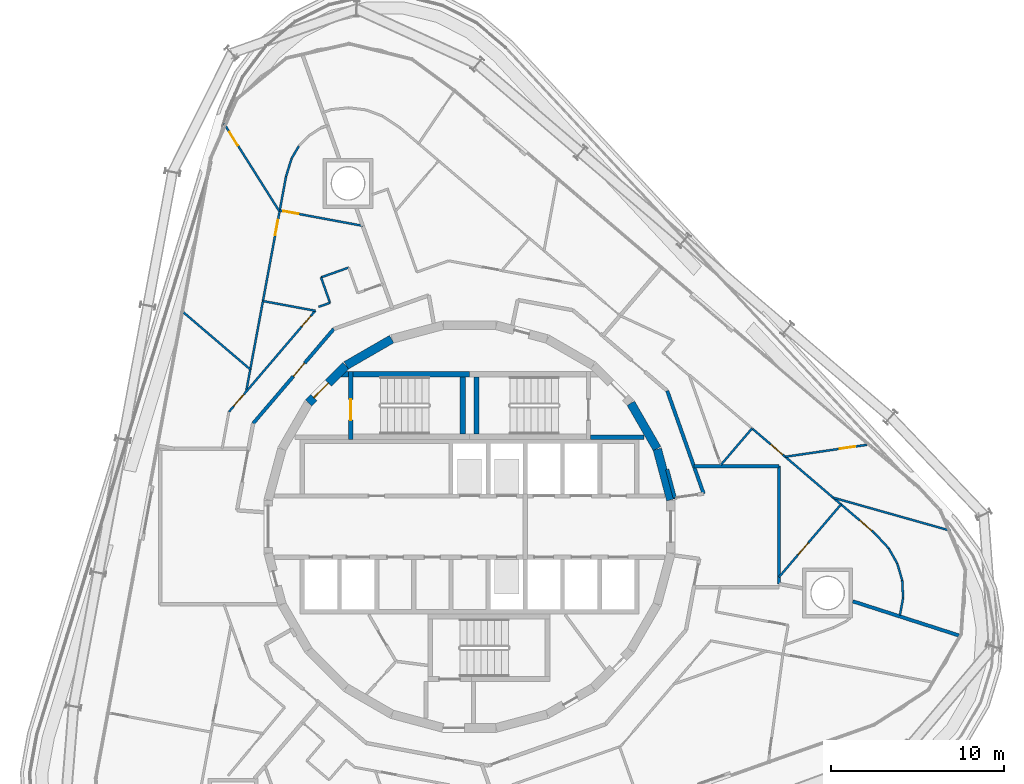
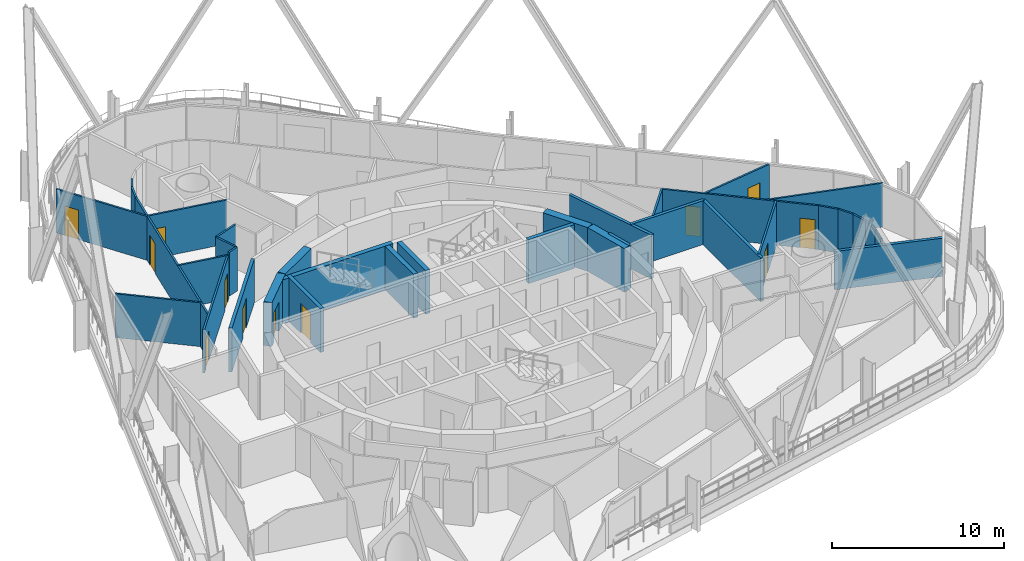
# One storey, part 14 of 25: 37 walls, 12 doors, 12 openings.
"""IFC4 building model written with IfcOpenShell, lengths in metres."""

from ifc_helpers import new_model, si_unit, direction, frame, frame_2d, origin, place, context, subcontext, project, spatial, polyline, rectangle, outline, extrude, material, layer, layer_set, type_object, element, fill, save


model = new_model("IFC4")

# Units and contexts
model_context = context("Model", 3, precision=1e-05, world=origin(), true_north=direction((0.0, 1.0)))
body_context = subcontext(model_context, "Body", "Model", "MODEL_VIEW")
ifc_project = project(units=[si_unit("LENGTHUNIT", "METRE"), si_unit("AREAUNIT", "SQUARE_METRE"), si_unit("VOLUMEUNIT", "CUBIC_METRE"), si_unit("PLANEANGLEUNIT", "RADIAN"), si_unit("MASSUNIT", "GRAM", prefix="KILO")], contexts=[model_context])

# Site, building, storey
site_placement = place(None, origin())
site = spatial("IfcSite", under=ifc_project, at=site_placement, CompositionType="ELEMENT")
building_placement = place(site_placement, origin())
building = spatial("IfcBuilding", under=site, at=building_placement, Name="Spindle Arch Residences", CompositionType="ELEMENT")
storey_placement = place(building_placement, frame((0.0, 0.0, 151.699951171875)))
storey = spatial("IfcBuildingStorey", under=building, at=storey_placement, Name="L37", CompositionType="ELEMENT", Elevation=151.699951171875)

# Walls
ifc_material_1 = material(Name="Concrete C50/60", Category="concrete")
ifc_layer_1 = layer(ifc_material_1, 0.5)
ifc_layer_set_1 = layer_set([ifc_layer_1], Name="Core outline wall 500")
wall_type_1 = type_object("IfcWallType", Name="Core outline wall 500", PredefinedType="SHEAR", material=ifc_layer_set_1)
for number, where, z_axis, x_axis, name in (
    (1, (11.642822265625, 1.5498046875, 0.0), (0.0, 0.0, 1.0), (-0.258734743916, 0.965948410781, 0.0), "Core outline wall 7"),
    (2, (10.84521484375, 4.510498046875, 0.0), (0.0, 0.0, 1.0), (-0.500087131594, 0.865975092491, 0.0), "Core outline wall 8"),
    (3, (-4.510498046875, 10.84521484375, 0.0), (0.0, 0.0, 1.0), (-0.865975092491, -0.500087131594, 0.0), "Core outline wall 14"),
):
    element("IfcWall", number, at=place(storey_placement, frame(where, z_axis=z_axis, x_axis=x_axis)), inside=storey, type_object=wall_type_1, Name=name, PredefinedType="SHEAR", context=body_context, shape_type="SweptSolid", body=[
        extrude(rectangle(XDim=3.03271484375, YDim=0.5, at=frame_2d((1.516357421875, 0.0))), origin(), (0.0, 0.0, 1.0), 3.1201171875),
    ])

# Wall, opening, door
wall_1_placement = place(storey_placement, frame((-7.163818359375, 9.30810546875, 0.0), z_axis=(0.0, 0.0, 1.0), x_axis=(-0.707106781187, -0.707106781187, 0.0)))
wall_1 = element("IfcWall", 4, at=wall_1_placement, inside=storey, type_object=wall_type_1, Name="Core outline wall 15", PredefinedType="SHEAR", context=body_context, shape_type="SweptSolid", body=[
    extrude(rectangle(XDim=3.032470703125, YDim=0.5, at=frame_2d((1.51611328125, 0.0))), origin(), (0.0, 0.0, 1.0), 3.1201171875),
])
opening_1_placement = place(wall_1_placement, frame((1.416259765625, 0.0, 0.0)))
opening_1 = element("IfcOpeningElement", 5, at=opening_1_placement, cuts=wall_1, Name="Opening R4A0-AD02", PredefinedType="OPENING", context=body_context, shape_type="SweptSolid", body=[
    extrude(rectangle(XDim=1.199951171875, YDim=2.10009765625, at=frame_2d((0.60009765625, 1.050048828125))), frame((0.0, 0.260009765625, 0.0), z_axis=(0.0, -1.0, 0.0), x_axis=(1.0, 0.0, 0.0)), (0.0, 0.0, 1.0), 0.52001953125),
])
ifc_material_2 = material(Name="Steel, fire-resisting door", Category="steel")
door_type_1 = type_object("IfcDoorType", Name="Stair airlock door 1200x2100", OperationType="SINGLE_SWING_LEFT", PredefinedType="DOOR", material=ifc_material_2)
door_1_placement = place(opening_1_placement, origin())
door_1 = element("IfcDoor", 6, at=door_1_placement, inside=storey, type_object=door_type_1, Name="Stair airlock door R4A0-AD02", OperationType="SINGLE_SWING_RIGHT", OverallHeight=2.10009765625, OverallWidth=1.199951171875, PredefinedType="DOOR", context=body_context, shape_type="SweptSolid", body=[
    extrude(rectangle(XDim=1.199951171875, YDim=2.10009765625, at=frame_2d((0.60009765625, 1.050048828125))), frame((0.0, 0.02490234375, 0.0), z_axis=(0.0, -1.0, 0.0), x_axis=(1.0, 0.0, 0.0)), (0.0, 0.0, 1.0), 0.050048828125),
])
fill(opening_1, door_1)

ifc_material_3 = material(Name="Calcium silicate block, plastered")
ifc_layer_2 = layer(ifc_material_3, 0.199951171875)
ifc_layer_set_2 = layer_set([ifc_layer_2], Name="Corridor wall 200")
wall_type_2 = type_object("IfcWallType", Name="Corridor wall 200", PredefinedType="STANDARD", material=ifc_layer_set_2)
wall_2_placement = place(storey_placement, frame((-7.857666015625, 11.432861328125, 0.0), z_axis=(0.0, 0.0, 1.0), x_axis=(-0.649440801937, -0.760412154545, 0.0)))
wall_2 = element("IfcWall", 7, at=wall_2_placement, inside=storey, type_object=wall_type_2, Name="Corridor wall R4A0-W011", PredefinedType="STANDARD", context=body_context, shape_type="SweptSolid", body=[
    extrude(rectangle(XDim=7.180908203125, YDim=0.199951171875, at=frame_2d((3.59033203125, 0.0))), origin(), (0.0, 0.0, 1.0), 3.1201171875),
])
opening_2_placement = place(wall_2_placement, frame((2.60009765625, 0.0, 0.0)))
opening_2 = element("IfcOpeningElement", 8, at=opening_2_placement, cuts=wall_2, Name="Opening R4A0-FD03", PredefinedType="OPENING", context=body_context, shape_type="SweptSolid", body=[
    extrude(rectangle(XDim=1.0, YDim=2.10009765625, at=frame_2d((0.5, 1.050048828125))), frame((0.0, 0.10986328125, 0.0), z_axis=(0.0, -1.0, 0.0), x_axis=(1.0, 0.0, 0.0)), (0.0, 0.0, 1.0), 0.219970703125),
])
ifc_material_4 = material(Name="Timber, fire-resisting door set", Category="wood")
door_type_2 = type_object("IfcDoorType", Name="Flat entrance door 1000x2100", OperationType="NOTDEFINED", PredefinedType="DOOR", material=ifc_material_4)
door_2_placement = place(opening_2_placement, origin())
door_2 = element("IfcDoor", 9, at=door_2_placement, inside=storey, type_object=door_type_2, Name="Flat entrance door R4A0-FD03", OperationType="SINGLE_SWING_LEFT", OverallHeight=2.10009765625, OverallWidth=1.0, PredefinedType="DOOR", context=body_context, shape_type="SweptSolid", body=[
    extrude(rectangle(XDim=1.0, YDim=2.10009765625, at=frame_2d((0.5, 1.050048828125))), frame((0.0, 0.02490234375, 0.0), z_axis=(0.0, -1.0, 0.0), x_axis=(1.0, 0.0, 0.0)), (0.0, 0.0, 1.0), 0.050048828125),
])
fill(opening_2, door_2)

# Walls
ifc_material_5 = material(Name="Calcium silicate block, plastered")
ifc_layer_3 = layer(ifc_material_5, 0.199951171875)
ifc_layer_set_3 = layer_set([ifc_layer_3], Name="Fire-lift lobby bay wall 200")
wall_type_3 = type_object("IfcWallType", Name="Fire-lift lobby bay wall 200", PredefinedType="STANDARD", material=ifc_layer_set_3)
wall_3_placement = place(storey_placement, frame((11.8701171875, 1.668212890625, 0.0), z_axis=(0.0, 0.0, 1.0), x_axis=(-0.258836880648, 0.965921047093, 0.0)))
element("IfcWall", 10, at=wall_3_placement, inside=storey, type_object=wall_type_3, Name="Fire-lift lobby bay wall R4A0-W001", PredefinedType="STANDARD", context=body_context, shape_type="SweptSolid", body=[
    extrude(rectangle(XDim=1.695068359375, YDim=0.199951171875, at=frame_2d((0.84765625, 0.0))), origin(), (0.0, 0.0, 1.0), 3.1201171875),
])
wall_4_placement = place(storey_placement, frame((13.54150390625, 1.903076171875, 0.0), z_axis=(0.0, 0.0, 1.0), x_axis=(-0.333808508206, 0.942640907159, 0.0)))
element("IfcWall", 11, at=wall_4_placement, inside=storey, type_object=wall_type_3, Name="Fire-lift lobby bay wall R4A0-W003", PredefinedType="STANDARD", context=body_context, shape_type="SweptSolid", body=[
    extrude(rectangle(XDim=6.31689453125, YDim=0.199951171875, at=frame_2d((3.158447265625, 0.0))), origin(), (0.0, 0.0, 1.0), 3.1201171875),
])
wall_5_placement = place(storey_placement, frame((17.89990234375, 3.5, 0.0), z_axis=(0.0, 0.0, 1.0), x_axis=(-1.0, 0.0, 0.0)))
element("IfcWall", 12, at=wall_5_placement, inside=storey, type_object=wall_type_3, Name="Fire-lift lobby bay wall R4A0-W024", PredefinedType="STANDARD", context=body_context, shape_type="SweptSolid", body=[
    extrude(rectangle(XDim=4.923828125, YDim=0.199951171875, at=frame_2d((2.4619140625, 0.0))), origin(), (0.0, 0.0, 1.0), 3.1201171875),
])
wall_6_placement = place(storey_placement, frame((17.89990234375, -3.317626953125, 0.0), z_axis=(0.0, 0.0, 1.0), x_axis=(0.0, 1.0, 0.0)))
element("IfcWall", 13, at=wall_6_placement, inside=storey, type_object=wall_type_3, Name="Fire-lift lobby bay wall R4A0-W025", PredefinedType="STANDARD", context=body_context, shape_type="SweptSolid", body=[
    extrude(rectangle(XDim=6.817626953125, YDim=0.199951171875, at=frame_2d((3.40869140625, 0.0))), origin(), (0.0, 0.0, 1.0), 3.1201171875),
])

# Wall, openings, doors
ifc_material_6 = material(Name="Plasterboard on steel studs", Category="steel")
ifc_layer_4 = layer(ifc_material_6, 0.1201171875)
ifc_layer_set_4 = layer_set([ifc_layer_4], Name="Flat partition 120")
wall_type_4 = type_object("IfcWallType", Name="Flat partition 120", PredefinedType="PARTITIONING", material=ifc_layer_set_4)
wall_7_placement = place(storey_placement, frame((23.411376953125, -0.35693359375, 0.0), z_axis=(0.0, 0.0, 1.0), x_axis=(-0.76041871148, 0.649433124525, 0.0)))
wall_7 = element("IfcWall", 14, at=wall_7_placement, inside=storey, type_object=wall_type_4, Name="Flat partition R4A0-W044", PredefinedType="PARTITIONING", context=body_context, shape_type="SweptSolid", body=[
    extrude(rectangle(XDim=9.2587890625, YDim=0.1201171875, at=frame_2d((4.62939453125, 0.0))), origin(), (0.0, 0.0, 1.0), 3.1201171875),
])
opening_3_placement = place(wall_7_placement, frame((6.971923828125, 0.0, 0.0)))
opening_3 = element("IfcOpeningElement", 15, at=opening_3_placement, cuts=wall_7, Name="Opening R4A0-ID02", PredefinedType="OPENING", context=body_context, shape_type="SweptSolid", body=[
    extrude(rectangle(XDim=0.89990234375, YDim=2.10009765625, at=frame_2d((0.449951171875, 1.050048828125))), frame((0.0, 0.070068359375, 0.0), z_axis=(0.0, -1.0, 0.0), x_axis=(1.0, 0.0, 0.0)), (0.0, 0.0, 1.0), 0.14013671875),
])
opening_4_placement = place(wall_7_placement, frame((0.199951171875, 0.0, 0.0)))
opening_4 = element("IfcOpeningElement", 16, at=opening_4_placement, cuts=wall_7, Name="Opening R4A0-ID05", PredefinedType="OPENING", context=body_context, shape_type="SweptSolid", body=[
    extrude(rectangle(XDim=0.89990234375, YDim=2.10009765625, at=frame_2d((0.449951171875, 1.050048828125))), frame((0.0, 0.070068359375, 0.0), z_axis=(0.0, -1.0, 0.0), x_axis=(1.0, 0.0, 0.0)), (0.0, 0.0, 1.0), 0.14013671875),
])
ifc_material_7 = material(Name="Timber door set", Category="wood")
door_type_3 = type_object("IfcDoorType", Name="Room door 900x2100", OperationType="NOTDEFINED", PredefinedType="DOOR", material=ifc_material_7)
door_3_placement = place(opening_3_placement, origin())
door_3 = element("IfcDoor", 17, at=door_3_placement, inside=storey, type_object=door_type_3, Name="Room door R4A0-ID02", OperationType="SINGLE_SWING_RIGHT", OverallHeight=2.10009765625, OverallWidth=0.89990234375, PredefinedType="DOOR", context=body_context, shape_type="SweptSolid", body=[
    extrude(rectangle(XDim=0.89990234375, YDim=2.10009765625, at=frame_2d((0.449951171875, 1.050048828125))), frame((0.0, 0.02490234375, 0.0), z_axis=(0.0, -1.0, 0.0), x_axis=(1.0, 0.0, 0.0)), (0.0, 0.0, 1.0), 0.050048828125),
])
fill(opening_3, door_3)
door_4_placement = place(opening_4_placement, origin())
door_4 = element("IfcDoor", 18, at=door_4_placement, inside=storey, type_object=door_type_3, Name="Room door R4A0-ID05", OperationType="SINGLE_SWING_LEFT", OverallHeight=2.10009765625, OverallWidth=0.89990234375, PredefinedType="DOOR", context=body_context, shape_type="SweptSolid", body=[
    extrude(rectangle(XDim=0.89990234375, YDim=2.10009765625, at=frame_2d((0.449951171875, 1.050048828125))), frame((0.0, 0.02490234375, 0.0), z_axis=(0.0, -1.0, 0.0), x_axis=(1.0, 0.0, 0.0)), (0.0, 0.0, 1.0), 0.050048828125),
])
fill(opening_4, door_4)

# Wall
wall_8_placement = place(storey_placement, frame((16.340576171875, 5.681884765625, 0.0), z_axis=(0.0, 0.0, 1.0), x_axis=(-0.64946993237, -0.76038727432, 0.0)))
element("IfcWall", 19, at=wall_8_placement, inside=storey, type_object=wall_type_4, Name="Flat partition R4A0-W045", PredefinedType="PARTITIONING", context=body_context, shape_type="SweptSolid", body=[
    extrude(rectangle(XDim=2.771240234375, YDim=0.1201171875, at=frame_2d((1.3857421875, 0.0))), origin(), (0.0, 0.0, 1.0), 3.1201171875),
])

# Wall, opening, door
wall_9_placement = place(storey_placement, frame((17.89990234375, -2.91845703125, 0.0), z_axis=(0.0, 0.0, 1.0), x_axis=(0.649469887983, 0.760387312232, 0.0)))
wall_9 = element("IfcWall", 20, at=wall_9_placement, inside=storey, type_object=wall_type_4, Name="Flat partition R4A0-W046", PredefinedType="PARTITIONING", context=body_context, shape_type="SweptSolid", body=[
    extrude(rectangle(XDim=5.52685546875, YDim=0.1201171875, at=frame_2d((2.763427734375, 0.0))), origin(), (0.0, 0.0, 1.0), 3.1201171875),
])
opening_5_placement = place(wall_9_placement, frame((1.699951171875, 0.0, 0.0)))
opening_5 = element("IfcOpeningElement", 21, at=opening_5_placement, cuts=wall_9, Name="Opening R4A0-ID04", PredefinedType="OPENING", context=body_context, shape_type="SweptSolid", body=[
    extrude(rectangle(XDim=0.89990234375, YDim=2.10009765625, at=frame_2d((0.449951171875, 1.050048828125))), frame((0.0, 0.070068359375, 0.0), z_axis=(0.0, -1.0, 0.0), x_axis=(1.0, 0.0, 0.0)), (0.0, 0.0, 1.0), 0.14013671875),
])
door_5_placement = place(opening_5_placement, origin())
door_5 = element("IfcDoor", 22, at=door_5_placement, inside=storey, type_object=door_type_3, Name="Room door R4A0-ID04", OperationType="SINGLE_SWING_LEFT", OverallHeight=2.10009765625, OverallWidth=0.89990234375, PredefinedType="DOOR", context=body_context, shape_type="SweptSolid", body=[
    extrude(rectangle(XDim=0.89990234375, YDim=2.10009765625, at=frame_2d((0.449951171875, 1.050048828125))), frame((0.0, 0.02490234375, 0.0), z_axis=(0.0, -1.0, 0.0), x_axis=(1.0, 0.0, 0.0)), (0.0, 0.0, 1.0), 0.050048828125),
])
fill(opening_5, door_5)

wall_10_placement = place(storey_placement, frame((22.99365234375, 4.73388671875, 0.0), z_axis=(0.0, 0.0, 1.0), x_axis=(-0.989449286977, -0.144879634529, 0.0)))
wall_10 = element("IfcWall", 23, at=wall_10_placement, inside=storey, type_object=wall_type_4, Name="Flat partition R4A0-W047", PredefinedType="PARTITIONING", context=body_context, shape_type="SweptSolid", body=[
    extrude(rectangle(XDim=4.782470703125, YDim=0.1201171875, at=frame_2d((2.39111328125, 0.0))), origin(), (0.0, 0.0, 1.0), 3.1201171875),
])
opening_6_placement = place(wall_10_placement, frame((0.699951171875, 0.0, 0.0)))
opening_6 = element("IfcOpeningElement", 24, at=opening_6_placement, cuts=wall_10, Name="Opening R4A0-ID03", PredefinedType="OPENING", context=body_context, shape_type="SweptSolid", body=[
    extrude(rectangle(XDim=0.89990234375, YDim=2.10009765625, at=frame_2d((0.449951171875, 1.050048828125))), frame((0.0, 0.070068359375, 0.0), z_axis=(0.0, -1.0, 0.0), x_axis=(1.0, 0.0, 0.0)), (0.0, 0.0, 1.0), 0.14013671875),
])
door_6_placement = place(opening_6_placement, origin())
door_6 = element("IfcDoor", 25, at=door_6_placement, inside=storey, type_object=door_type_3, Name="Room door R4A0-ID03", OperationType="SINGLE_SWING_LEFT", OverallHeight=2.10009765625, OverallWidth=0.89990234375, PredefinedType="DOOR", context=body_context, shape_type="SweptSolid", body=[
    extrude(rectangle(XDim=0.89990234375, YDim=2.10009765625, at=frame_2d((0.449951171875, 1.050048828125))), frame((0.0, 0.02490234375, 0.0), z_axis=(0.0, -1.0, 0.0), x_axis=(1.0, 0.0, 0.0)), (0.0, 0.0, 1.0), 0.050048828125),
])
fill(opening_6, door_6)

# Walls
wall_11_placement = place(storey_placement, frame((21.029052734375, 1.677490234375, 0.0), z_axis=(0.0, 0.0, 1.0), x_axis=(0.962458274539, -0.271429677396, 0.0)))
element("IfcWall", 26, at=wall_11_placement, inside=storey, type_object=wall_type_4, Name="Flat partition R4A0-W048", PredefinedType="PARTITIONING", context=body_context, shape_type="SweptSolid", body=[
    extrude(rectangle(XDim=7.037353515625, YDim=0.1201171875, at=frame_2d((3.5185546875, 0.0))), origin(), (0.0, 0.0, 1.0), 3.1201171875),
])
for number, where, z_axis, x_axis, name in (
    (27, (24.893798828125, -5.130615234375, 0.0), (0.0, 0.0, 1.0), (0.182140887528, 0.983272442963, 0.0), "Flat partition R4A0-W049"),
    (28, (25.078857421875, -4.131591796875, 0.0), (0.0, 0.0, 1.0), (-0.049494233422, 0.998774409393, 0.0), "Flat partition R4A0-W050"),
):
    element("IfcWall", number, at=place(storey_placement, frame(where, z_axis=z_axis, x_axis=x_axis)), inside=storey, type_object=wall_type_4, Name=name, PredefinedType="PARTITIONING", context=body_context, shape_type="SweptSolid", body=[
        extrude(rectangle(XDim=1.01611328125, YDim=0.1201171875, at=frame_2d((0.508056640625, 0.0))), origin(), (0.0, 0.0, 1.0), 3.1201171875),
    ])
for number, where, z_axis, x_axis, name in (
    (29, (25.028564453125, -3.11669921875, 0.0), (0.0, 0.0, 1.0), (-0.278559922069, 0.96041885124, 0.0), "Flat partition R4A0-W051"),
    (30, (24.74560546875, -2.14111328125, 0.0), (0.0, 0.0, 1.0), (-0.492199796518, 0.870482257319, 0.0), "Flat partition R4A0-W052"),
):
    element("IfcWall", number, at=place(storey_placement, frame(where, z_axis=z_axis, x_axis=x_axis)), inside=storey, type_object=wall_type_4, Name=name, PredefinedType="PARTITIONING", context=body_context, shape_type="SweptSolid", body=[
        extrude(rectangle(XDim=1.015869140625, YDim=0.1201171875, at=frame_2d((0.5078125, 0.0))), origin(), (0.0, 0.0, 1.0), 3.1201171875),
    ])
wall_12_placement = place(storey_placement, frame((24.24560546875, -1.2568359375, 0.0), z_axis=(0.0, 0.0, 1.0), x_axis=(-0.679840361176, 0.733360132074, 0.0)))
element("IfcWall", 31, at=wall_12_placement, inside=storey, type_object=wall_type_4, Name="Flat partition R4A0-W053", PredefinedType="PARTITIONING", context=body_context, shape_type="SweptSolid", body=[
    extrude(rectangle(XDim=1.22705078125, YDim=0.1201171875, at=frame_2d((0.613525390625, 0.0))), origin(), (0.0, 0.0, 1.0), 3.1201171875),
])
wall_13_placement = place(storey_placement, frame((-6.993408203125, 14.98681640625, 0.0), z_axis=(0.0, 0.0, 1.0), x_axis=(-0.942599915297, -0.33392424243, 0.0)))
element("IfcWall", 32, at=wall_13_placement, inside=storey, type_object=wall_type_4, Name="Flat partition R4A0-W070", PredefinedType="PARTITIONING", context=body_context, shape_type="SweptSolid", body=[
    extrude(rectangle(XDim=1.699951171875, YDim=0.1201171875, at=frame_2d((0.85009765625, 0.0))), origin(), (0.0, 0.0, 1.0), 3.1201171875),
])
wall_14_placement = place(storey_placement, frame((-8.595703125, 14.419189453125, 0.0), z_axis=(0.0, 0.0, 1.0), x_axis=(0.333670576497, -0.942689740254, 0.0)))
element("IfcWall", 33, at=wall_14_placement, inside=storey, type_object=wall_type_4, Name="Flat partition R4A0-W071", PredefinedType="PARTITIONING", context=body_context, shape_type="SweptSolid", body=[
    extrude(rectangle(XDim=1.5615234375, YDim=0.1201171875, at=frame_2d((0.78076171875, 0.0))), origin(), (0.0, 0.0, 1.0), 3.1201171875),
])
wall_15_placement = place(storey_placement, frame((-8.07470703125, 12.947265625, 0.0), z_axis=(0.0, 0.0, 1.0), x_axis=(-0.942649994227, -0.33378284615, 0.0)))
element("IfcWall", 34, at=wall_15_placement, inside=storey, type_object=wall_type_4, Name="Flat partition R4A0-W072", PredefinedType="PARTITIONING", context=body_context, shape_type="SweptSolid", body=[
    extrude(rectangle(XDim=0.702880859375, YDim=0.1201171875, at=frame_2d((0.3515625, 0.0))), origin(), (0.0, 0.0, 1.0), 3.1201171875),
])

# Wall, openings, doors
wall_16_placement = place(storey_placement, frame((-8.9287109375, 12.48828125, 0.0), z_axis=(0.0, 0.0, 1.0), x_axis=(-0.64944646045, -0.760407321775, 0.0)))
wall_16 = element("IfcWall", 35, at=wall_16_placement, inside=storey, type_object=wall_type_4, Name="Flat partition R4A0-W073", PredefinedType="PARTITIONING", context=body_context, shape_type="SweptSolid", body=[
    extrude(rectangle(XDim=7.68994140625, YDim=0.1201171875, at=frame_2d((3.844970703125, 0.0))), origin(), (0.0, 0.0, 1.0), 3.1201171875),
])
opening_7_placement = place(wall_16_placement, frame((0.39990234375, 0.0, 0.0)))
opening_7 = element("IfcOpeningElement", 36, at=opening_7_placement, cuts=wall_16, Name="Opening R4A0-BD03", PredefinedType="OPENING", context=body_context, shape_type="SweptSolid", body=[
    extrude(rectangle(XDim=0.800048828125, YDim=2.10009765625, at=frame_2d((0.39990234375, 1.050048828125))), frame((0.0, 0.070068359375, 0.0), z_axis=(0.0, -1.0, 0.0), x_axis=(1.0, 0.0, 0.0)), (0.0, 0.0, 1.0), 0.14013671875),
])
opening_8_placement = place(wall_16_placement, frame((6.35595703125, 0.0, 0.0)))
opening_8 = element("IfcOpeningElement", 37, at=opening_8_placement, cuts=wall_16, Name="Opening R4A0-ID12", PredefinedType="OPENING", context=body_context, shape_type="SweptSolid", body=[
    extrude(rectangle(XDim=0.89990234375, YDim=2.10009765625, at=frame_2d((0.449951171875, 1.050048828125))), frame((0.0, 0.070068359375, 0.0), z_axis=(0.0, -1.0, 0.0), x_axis=(1.0, 0.0, 0.0)), (0.0, 0.0, 1.0), 0.14013671875),
])
ifc_material_8 = material(Name="Timber door set", Category="wood")
door_type_4 = type_object("IfcDoorType", Name="Bathroom door 800x2100", OperationType="NOTDEFINED", PredefinedType="DOOR", material=ifc_material_8)
door_7_placement = place(opening_7_placement, origin())
door_7 = element("IfcDoor", 38, at=door_7_placement, inside=storey, type_object=door_type_4, Name="Bathroom door R4A0-BD03", OperationType="SINGLE_SWING_LEFT", OverallHeight=2.10009765625, OverallWidth=0.800048828125, PredefinedType="DOOR", context=body_context, shape_type="SweptSolid", body=[
    extrude(rectangle(XDim=0.800048828125, YDim=2.10009765625, at=frame_2d((0.39990234375, 1.050048828125))), frame((0.0, 0.02490234375, 0.0), z_axis=(0.0, -1.0, 0.0), x_axis=(1.0, 0.0, 0.0)), (0.0, 0.0, 1.0), 0.050048828125),
])
fill(opening_7, door_7)
door_8_placement = place(opening_8_placement, origin())
door_8 = element("IfcDoor", 39, at=door_8_placement, inside=storey, type_object=door_type_3, Name="Room door R4A0-ID12", OperationType="SINGLE_SWING_LEFT", OverallHeight=2.10009765625, OverallWidth=0.89990234375, PredefinedType="DOOR", context=body_context, shape_type="SweptSolid", body=[
    extrude(rectangle(XDim=0.89990234375, YDim=2.10009765625, at=frame_2d((0.449951171875, 1.050048828125))), frame((0.0, 0.02490234375, 0.0), z_axis=(0.0, -1.0, 0.0), x_axis=(1.0, 0.0, 0.0)), (0.0, 0.0, 1.0), 0.050048828125),
])
fill(opening_8, door_8)

# Walls
wall_17_placement = place(storey_placement, frame((-9.876708984375, 22.014404296875, 0.0), z_axis=(0.0, 0.0, 1.0), x_axis=(-0.507766478099, -0.861494749676, 0.0)))
element("IfcWall", 40, at=wall_17_placement, inside=storey, type_object=wall_type_4, Name="Flat partition R4A0-W078", PredefinedType="PARTITIONING", context=body_context, shape_type="SweptSolid", body=[
    extrude(rectangle(XDim=0.828857421875, YDim=0.1201171875, at=frame_2d((0.41455078125, 0.0))), origin(), (0.0, 0.0, 1.0), 3.1201171875),
])
wall_18_placement = place(storey_placement, frame((-10.297607421875, 21.30029296875, 0.0), z_axis=(0.0, 0.0, 1.0), x_axis=(-0.295127342945, -0.955457927617, 0.0)))
element("IfcWall", 41, at=wall_18_placement, inside=storey, type_object=wall_type_4, Name="Flat partition R4A0-W079", PredefinedType="PARTITIONING", context=body_context, shape_type="SweptSolid", body=[
    extrude(rectangle(XDim=1.0869140625, YDim=0.1201171875, at=frame_2d((0.54345703125, 0.0))), origin(), (0.0, 0.0, 1.0), 3.1201171875),
])

# Wall, opening, door
wall_19_placement = place(storey_placement, frame((-10.618408203125, 20.26171875, 0.0), z_axis=(0.0, 0.0, 1.0), x_axis=(-0.182222468274, -0.983257327487, 0.0)))
wall_19 = element("IfcWall", 42, at=wall_19_placement, inside=storey, type_object=wall_type_4, Name="Flat partition R4A0-W080", PredefinedType="PARTITIONING", context=body_context, shape_type="SweptSolid", body=[
    extrude(rectangle(XDim=12.66650390625, YDim=0.1201171875, at=frame_2d((6.333251953125, 0.0))), origin(), (0.0, 0.0, 1.0), 3.1201171875),
])
opening_9_placement = place(wall_19_placement, frame((2.570068359375, 0.0, 0.0)))
opening_9 = element("IfcOpeningElement", 43, at=opening_9_placement, cuts=wall_19, Name="Opening R4A0-ID14", PredefinedType="OPENING", context=body_context, shape_type="SweptSolid", body=[
    extrude(rectangle(XDim=0.89990234375, YDim=2.10009765625, at=frame_2d((0.449951171875, 1.050048828125))), frame((0.0, 0.070068359375, 0.0), z_axis=(0.0, -1.0, 0.0), x_axis=(1.0, 0.0, 0.0)), (0.0, 0.0, 1.0), 0.14013671875),
])
door_9_placement = place(opening_9_placement, origin())
door_9 = element("IfcDoor", 44, at=door_9_placement, inside=storey, type_object=door_type_3, Name="Room door R4A0-ID14", OperationType="SINGLE_SWING_LEFT", OverallHeight=2.10009765625, OverallWidth=0.89990234375, PredefinedType="DOOR", context=body_context, shape_type="SweptSolid", body=[
    extrude(rectangle(XDim=0.89990234375, YDim=2.10009765625, at=frame_2d((0.449951171875, 1.050048828125))), frame((0.0, 0.02490234375, 0.0), z_axis=(0.0, -1.0, 0.0), x_axis=(1.0, 0.0, 0.0)), (0.0, 0.0, 1.0), 0.050048828125),
])
fill(opening_9, door_9)

wall_20_placement = place(storey_placement, frame((-10.983642578125, 18.291259765625, 0.0), z_axis=(0.0, 0.0, 1.0), x_axis=(0.98324782266, -0.182273748068, 0.0)))
wall_20 = element("IfcWall", 45, at=wall_20_placement, inside=storey, type_object=wall_type_4, Name="Flat partition R4A0-W081", PredefinedType="PARTITIONING", context=body_context, shape_type="SweptSolid", body=[
    extrude(rectangle(XDim=4.880859375, YDim=0.1201171875, at=frame_2d((2.4404296875, 0.0))), origin(), (0.0, 0.0, 1.0), 3.1201171875),
])
opening_10_placement = place(wall_20_placement, frame((0.199951171875, 0.0, 0.0)))
opening_10 = element("IfcOpeningElement", 46, at=opening_10_placement, cuts=wall_20, Name="Opening R4A0-ID13", PredefinedType="OPENING", context=body_context, shape_type="SweptSolid", body=[
    extrude(rectangle(XDim=0.89990234375, YDim=2.10009765625, at=frame_2d((0.449951171875, 1.050048828125))), frame((0.0, 0.070068359375, 0.0), z_axis=(0.0, -1.0, 0.0), x_axis=(1.0, 0.0, 0.0)), (0.0, 0.0, 1.0), 0.14013671875),
])
door_10_placement = place(opening_10_placement, origin())
door_10 = element("IfcDoor", 47, at=door_10_placement, inside=storey, type_object=door_type_3, Name="Room door R4A0-ID13", OperationType="SINGLE_SWING_LEFT", OverallHeight=2.10009765625, OverallWidth=0.89990234375, PredefinedType="DOOR", context=body_context, shape_type="SweptSolid", body=[
    extrude(rectangle(XDim=0.89990234375, YDim=2.10009765625, at=frame_2d((0.449951171875, 1.050048828125))), frame((0.0, 0.02490234375, 0.0), z_axis=(0.0, -1.0, 0.0), x_axis=(1.0, 0.0, 0.0)), (0.0, 0.0, 1.0), 0.050048828125),
])
fill(opening_10, door_10)

wall_21_placement = place(storey_placement, frame((-14.210693359375, 23.326416015625, 0.0), z_axis=(0.0, 0.0, 1.0), x_axis=(0.533278244906, -0.845939899467, 0.0)))
wall_21 = element("IfcWall", 48, at=wall_21_placement, inside=storey, type_object=wall_type_4, Name="Flat partition R4A0-W082", PredefinedType="PARTITIONING", context=body_context, shape_type="SweptSolid", body=[
    extrude(rectangle(XDim=6.02880859375, YDim=0.1201171875, at=frame_2d((3.014404296875, 0.0))), origin(), (0.0, 0.0, 1.0), 3.1201171875),
])
opening_11_placement = place(wall_21_placement, frame((0.60009765625, 0.0, 0.0)))
opening_11 = element("IfcOpeningElement", 49, at=opening_11_placement, cuts=wall_21, Name="Opening R4A0-ID15", PredefinedType="OPENING", context=body_context, shape_type="SweptSolid", body=[
    extrude(rectangle(XDim=0.89990234375, YDim=2.10009765625, at=frame_2d((0.449951171875, 1.050048828125))), frame((0.0, 0.070068359375, 0.0), z_axis=(0.0, -1.0, 0.0), x_axis=(1.0, 0.0, 0.0)), (0.0, 0.0, 1.0), 0.14013671875),
])
door_11_placement = place(opening_11_placement, origin())
door_11 = element("IfcDoor", 50, at=door_11_placement, inside=storey, type_object=door_type_3, Name="Room door R4A0-ID15", OperationType="SINGLE_SWING_LEFT", OverallHeight=2.10009765625, OverallWidth=0.89990234375, PredefinedType="DOOR", context=body_context, shape_type="SweptSolid", body=[
    extrude(rectangle(XDim=0.89990234375, YDim=2.10009765625, at=frame_2d((0.449951171875, 1.050048828125))), frame((0.0, 0.02490234375, 0.0), z_axis=(0.0, -1.0, 0.0), x_axis=(1.0, 0.0, 0.0)), (0.0, 0.0, 1.0), 0.050048828125),
])
fill(opening_11, door_11)

# Walls
wall_22_placement = place(storey_placement, frame((-11.955078125, 13.04931640625, 0.0), z_axis=(0.0, 0.0, 1.0), x_axis=(0.983247271586, -0.182276720725, 0.0)))
element("IfcWall", 51, at=wall_22_placement, inside=storey, type_object=wall_type_4, Name="Flat partition R4A0-W083", PredefinedType="PARTITIONING", context=body_context, shape_type="SweptSolid", body=[
    extrude(rectangle(XDim=3.077880859375, YDim=0.1201171875, at=frame_2d((1.5390625, 0.0))), origin(), (0.0, 0.0, 1.0), 3.1201171875),
])
wall_23_placement = place(storey_placement, frame((-16.551513671875, 12.393798828125, 0.0), z_axis=(0.0, 0.0, 1.0), x_axis=(0.760425586578, -0.649425074414, 0.0)))
element("IfcWall", 52, at=wall_23_placement, inside=storey, type_object=wall_type_4, Name="Flat partition R4A0-W084", PredefinedType="PARTITIONING", context=body_context, shape_type="SweptSolid", body=[
    extrude(rectangle(XDim=5.080810546875, YDim=0.1201171875, at=frame_2d((2.54052734375, 0.0))), origin(), (0.0, 0.0, 1.0), 3.1201171875),
])
ifc_material_9 = material(Name="Calcium silicate block, plastered")
ifc_layer_5 = layer(ifc_material_9, 0.199951171875)
ifc_layer_set_5 = layer_set([ifc_layer_5], Name="Flat party wall 200 under beam 2730")
wall_type_5 = type_object("IfcWallType", Name="Flat party wall 200 under beam 2730", PredefinedType="STANDARD", material=ifc_layer_set_5)
wall_24_placement = place(storey_placement, frame((22.173095703125, -4.322021484375, 0.0), z_axis=(0.0, 0.0, 1.0), x_axis=(0.951906405572, -0.306388960362, 0.0)))
element("IfcWall", 53, at=wall_24_placement, inside=storey, type_object=wall_type_5, Name="Flat party wall R4A0-W028", PredefinedType="STANDARD", context=body_context, shape_type="SweptSolid", body=[
    extrude(rectangle(XDim=6.450439453125, YDim=0.199951171875, at=frame_2d((3.22509765625, 0.0))), origin(), (0.0, 0.0, 1.0), 2.72998046875),
])
ifc_material_10 = material(Name="Concrete C40/50", Category="concrete")
ifc_layer_6 = layer(ifc_material_10, 0.25)
ifc_layer_set_6 = layer_set([ifc_layer_6], Name="Stair airlock wall 250")
wall_type_6 = type_object("IfcWallType", Name="Stair airlock wall 250", PredefinedType="SHEAR", material=ifc_layer_set_6)
wall_25_placement = place(storey_placement, frame((7.0, 5.175048828125, 0.0), z_axis=(0.0, 0.0, 1.0), x_axis=(1.0, 0.0, 0.0)))
element("IfcWall", 54, at=wall_25_placement, inside=storey, type_object=wall_type_6, Name="Stair ST-1 airlock wall S", PredefinedType="SHEAR", context=body_context, shape_type="SweptSolid", body=[
    extrude(rectangle(XDim=3.10009765625, YDim=0.25, at=frame_2d((1.550048828125, 0.0))), origin(), (0.0, 0.0, 1.0), 3.1201171875),
])
ifc_material_11 = material(Name="Concrete C40/50", Category="concrete")
wall_type_7 = type_object("IfcWallType", Name="Stair airlock wall profile", PredefinedType="SHEAR", material=ifc_material_11)
wall_26_placement = place(storey_placement, origin())
element("IfcWall", 55, at=wall_26_placement, inside=storey, type_object=wall_type_7, Name="Stair ST-2 airlock wall N", PredefinedType="SHEAR", context=body_context, shape_type="SweptSolid", body=[
    extrude(outline(polyline([(-7.148193359375, 8.969970703125), (-7.0, 8.969970703125), (-7.0, 8.669921875), (-7.4482421875, 8.669921875), (-7.148193359375, 8.969970703125)])), origin(), (0.0, 0.0, 1.0), 3.1201171875),
])

# Wall, opening, door
ifc_material_12 = material(Name="Concrete C50/60", Category="concrete")
ifc_layer_7 = layer(ifc_material_12, 0.25)
ifc_layer_set_7 = layer_set([ifc_layer_7], Name="Stair enclosure wall 250")
wall_type_8 = type_object("IfcWallType", Name="Stair enclosure wall 250", PredefinedType="SHEAR", material=ifc_layer_set_7)
wall_27_placement = place(storey_placement, frame((-6.875, 8.969970703125, 0.0), z_axis=(0.0, 0.0, 1.0), x_axis=(0.0, -1.0, 0.0)))
wall_27 = element("IfcWall", 56, at=wall_27_placement, inside=storey, type_object=wall_type_8, Name="Stair ST-2 door wall", PredefinedType="SHEAR", context=body_context, shape_type="SweptSolid", body=[
    extrude(rectangle(XDim=3.919921875, YDim=0.25, at=frame_2d((1.9599609375, 0.0))), origin(), (0.0, 0.0, 1.0), 3.1201171875),
])
opening_12_placement = place(wall_27_placement, frame((1.610107421875, 0.0, 0.0)))
opening_12 = element("IfcOpeningElement", 57, at=opening_12_placement, cuts=wall_27, Name="Opening R4A0-SD02", PredefinedType="OPENING", context=body_context, shape_type="SweptSolid", body=[
    extrude(rectangle(XDim=1.199951171875, YDim=2.10009765625, at=frame_2d((0.60009765625, 1.050048828125))), frame((0.0, 0.135009765625, 0.0), z_axis=(0.0, -1.0, 0.0), x_axis=(1.0, 0.0, 0.0)), (0.0, 0.0, 1.0), 0.27001953125),
])
ifc_material_13 = material(Name="Steel, fire-resisting door", Category="steel")
door_type_5 = type_object("IfcDoorType", Name="Stair door 1200x2100", OperationType="SINGLE_SWING_RIGHT", PredefinedType="DOOR", material=ifc_material_13)
door_12_placement = place(opening_12_placement, origin())
door_12 = element("IfcDoor", 58, at=door_12_placement, inside=storey, type_object=door_type_5, Name="Stair door R4A0-SD02", OperationType="SINGLE_SWING_LEFT", OverallHeight=2.10009765625, OverallWidth=1.199951171875, PredefinedType="DOOR", context=body_context, shape_type="SweptSolid", body=[
    extrude(rectangle(XDim=1.199951171875, YDim=2.10009765625, at=frame_2d((0.60009765625, 1.050048828125))), frame((0.0, 0.02490234375, 0.0), z_axis=(0.0, -1.0, 0.0), x_axis=(1.0, 0.0, 0.0)), (0.0, 0.0, 1.0), 0.050048828125),
])
fill(opening_12, door_12)

# Walls
ifc_material_14 = material(Name="Concrete C50/60", Category="concrete")
ifc_layer_8 = layer(ifc_material_14, 0.300048828125)
ifc_layer_set_8 = layer_set([ifc_layer_8], Name="Stair enclosure wall 300")
wall_type_9 = type_object("IfcWallType", Name="Stair enclosure wall 300", PredefinedType="SHEAR", material=ifc_layer_set_8)
wall_28_placement = place(storey_placement, frame((0.39990234375, 5.35009765625, 0.0), z_axis=(0.0, 0.0, 1.0), x_axis=(0.0, 1.0, 0.0)))
element("IfcWall", 59, at=wall_28_placement, inside=storey, type_object=wall_type_9, Name="Stair ST-1 enclosure wall F", PredefinedType="SHEAR", context=body_context, shape_type="SweptSolid", body=[
    extrude(rectangle(XDim=3.31982421875, YDim=0.300048828125, at=frame_2d((1.659912109375, 0.0))), origin(), (0.0, 0.0, 1.0), 3.1201171875),
])
wall_29_placement = place(storey_placement, frame((-6.75, 8.820068359375, 0.0), z_axis=(0.0, 0.0, 1.0), x_axis=(1.0, 0.0, 0.0)))
element("IfcWall", 60, at=wall_29_placement, inside=storey, type_object=wall_type_9, Name="Stair ST-2 enclosure wall N", PredefinedType="SHEAR", context=body_context, shape_type="SweptSolid", body=[
    extrude(rectangle(XDim=6.75, YDim=0.300048828125, at=frame_2d((3.375, 0.0))), origin(), (0.0, 0.0, 1.0), 3.1201171875),
])
wall_30_placement = place(storey_placement, frame((-0.39990234375, 5.35009765625, 0.0), z_axis=(0.0, 0.0, 1.0), x_axis=(0.0, 1.0, 0.0)))
element("IfcWall", 61, at=wall_30_placement, inside=storey, type_object=wall_type_9, Name="Stair ST-2 enclosure wall F", PredefinedType="SHEAR", context=body_context, shape_type="SweptSolid", body=[
    extrude(rectangle(XDim=3.31982421875, YDim=0.300048828125, at=frame_2d((1.659912109375, 0.0))), origin(), (0.0, 0.0, 1.0), 3.1201171875),
])

save(model, "model.ifc")
